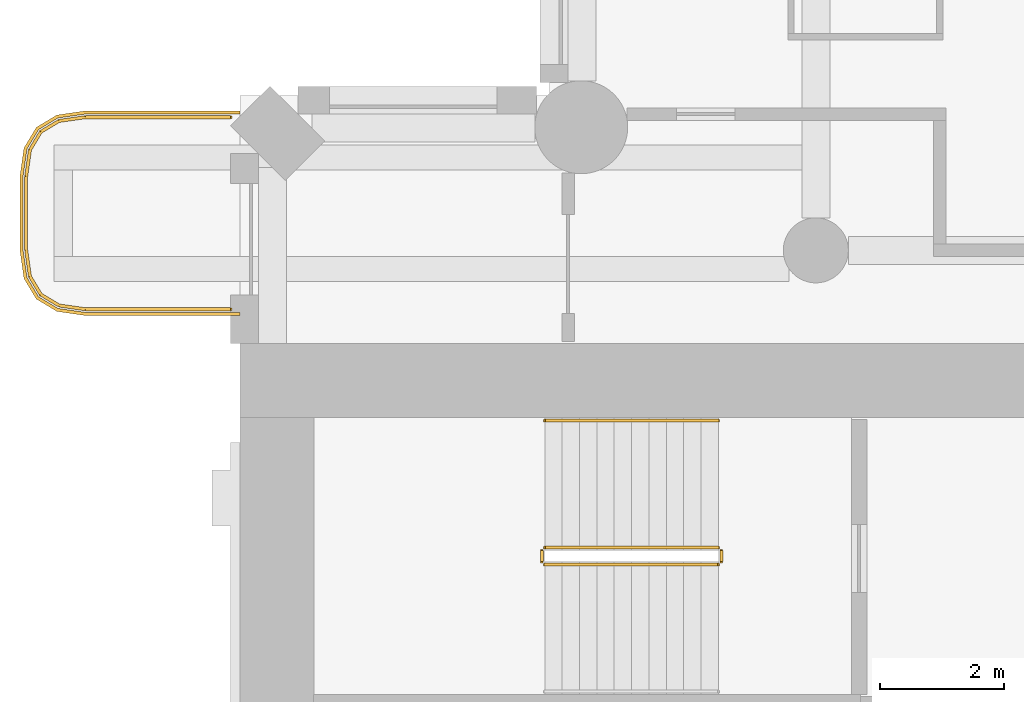
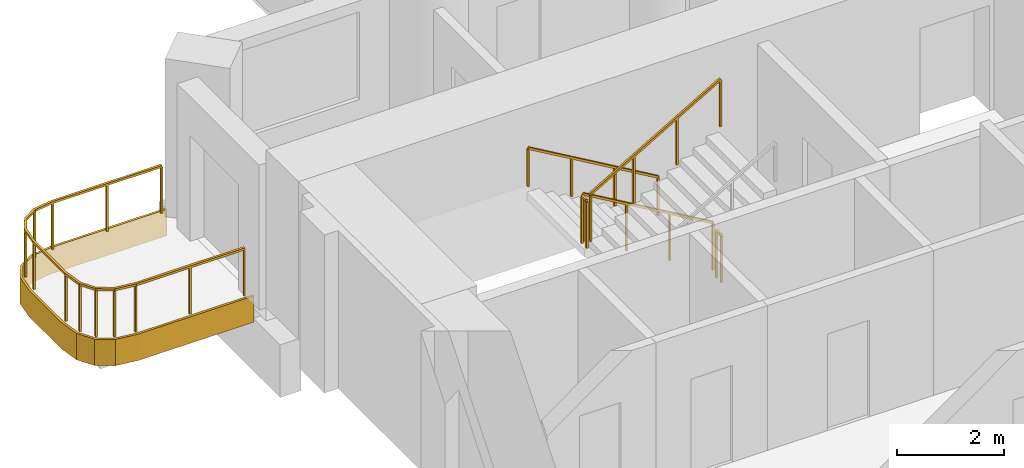
# One storey, part 17 of 20: 6 railings, 1 covering.
"""IFC4 building model written with IfcOpenShell, lengths in metres."""

from ifc_helpers import new_model, si_unit, direction, frame, origin, origin_2d, place, context, subcontext, project, spatial, polyline, rectangle, outline, extrude, material, layer, layer_set, type_object, element, save


model = new_model("IFC4")

# Units and contexts
model_context = context("Model", 3, precision=1e-05, world=origin(), true_north=direction((0.0, 1.0)))
body_context = subcontext(model_context, "Body", "Model", "MODEL_VIEW")
ifc_project = project(units=[si_unit("LENGTHUNIT", "METRE"), si_unit("AREAUNIT", "SQUARE_METRE"), si_unit("VOLUMEUNIT", "CUBIC_METRE"), si_unit("PLANEANGLEUNIT", "RADIAN"), si_unit("MASSUNIT", "GRAM", prefix="KILO")], contexts=[model_context])

# Site, building, storey
site_placement = place(None, origin())
site = spatial("IfcSite", under=ifc_project, at=site_placement, CompositionType="ELEMENT")
building_placement = place(site_placement, origin())
building = spatial("IfcBuilding", under=site, at=building_placement, Name="Cypress Arch Tower", CompositionType="ELEMENT")
storey_placement = place(building_placement, frame((0.0, 0.0, 109.5)))
storey = spatial("IfcBuildingStorey", under=building, at=storey_placement, Name="L22", CompositionType="ELEMENT", Elevation=109.5)

# Covering
ifc_material_1 = material(Name="White powder-coated aluminium fascia", Category="aluminium")
ifc_layer = layer(ifc_material_1, 0.050048828125)
ifc_layer_set = layer_set([ifc_layer], Name="Balcony fascia BF50")
covering_type = type_object("IfcCoveringType", Name="Balcony fascia BF50", PredefinedType="CLADDING", material=ifc_layer_set)
covering_placement = place(storey_placement, frame((0.0, 0.0, -0.60009765625)))
element("IfcCovering", 1, at=covering_placement, inside=storey, type_object=covering_type, Name="Balcony fascia L22-A00W0", PredefinedType="CLADDING", context=body_context, shape_type="SweptSolid", body=[
    extrude(outline(polyline([(-32.503662109375, 16.449951171875), (-32.95458984375, 16.514404296875), (-33.286376953125, 16.713623046875), (-33.485595703125, 17.04541015625), (-33.550048828125, 17.496337890625), (-33.550048828125, 18.70361328125), (-33.485595703125, 19.154541015625), (-33.286376953125, 19.486328125), (-32.95458984375, 19.685546875), (-32.503662109375, 19.75), (-30.0009765625, 19.75), (-30.0009765625, 19.699951171875), (-32.5, 19.699951171875), (-32.9375, 19.637451171875), (-33.25, 19.449951171875), (-33.4375, 19.137451171875), (-33.5, 18.699951171875), (-33.5, 17.5), (-33.4375, 17.0625), (-33.25, 16.75), (-32.9375, 16.5625), (-32.5, 16.5), (-30.0009765625, 16.5), (-30.0009765625, 16.449951171875), (-32.503662109375, 16.449951171875)])), origin(), (0.0, 0.0, 1.0), 0.60009765625),
])

# Railings
ifc_material_2 = material(Name="Powder-coated steel posts and rods, 100 mm clear between rods", Category="steel")
railing_type_1 = type_object("IfcRailingType", Name="Balcony guard GR1100", PredefinedType="GUARDRAIL", material=ifc_material_2)
railing_1_placement = place(storey_placement, frame((-30.14990234375, 16.550048828125, 0.0)))
element("IfcRailing", 2, at=railing_1_placement, inside=storey, type_object=railing_type_1, Name="Balcony guard L22-A00W0", PredefinedType="GUARDRAIL", context=body_context, shape_type="SweptSolid", body=[
    extrude(rectangle(XDim=0.050048828125, YDim=0.050048828125, at=origin_2d()), frame((0.0, 0.0, 1.0751953125), z_axis=(-1.0, 0.0, 0.0), x_axis=(0.0, -1.0, 0.0)), (0.0, 0.0, 1.0), 2.346435546875),
    extrude(rectangle(XDim=0.050048828125, YDim=0.050048828125, at=origin_2d()), frame((-2.346435546875, 0.0, 1.0751953125), z_axis=(-0.989960888959, 0.141341566184, 0.0), x_axis=(-0.141341566184, -0.989960888959, 0.0)), (0.0, 0.0, 1.0), 0.428466796875),
    extrude(rectangle(XDim=0.050048828125, YDim=0.050048828125, at=origin_2d()), frame((-2.7705078125, 0.060546875, 1.0751953125), z_axis=(-0.857681904839, 0.514180659021, 0.0), x_axis=(-0.514180659021, -0.857681904839, 0.0)), (0.0, 0.0, 1.0), 0.341796875),
    extrude(rectangle(XDim=0.050048828125, YDim=0.050048828125, at=origin_2d()), frame((-3.063720703125, 0.236328125, 1.0751953125), z_axis=(-0.514180659021, 0.857681904839, 0.0), x_axis=(-0.857681904839, -0.514180659021, 0.0)), (0.0, 0.0, 1.0), 0.341796875),
    extrude(rectangle(XDim=0.050048828125, YDim=0.050048828125, at=origin_2d()), frame((-3.239501953125, 0.529541015625, 1.0751953125), z_axis=(-0.141341566184, 0.989960888959, 0.0), x_axis=(-0.989960888959, -0.141341566184, 0.0)), (0.0, 0.0, 1.0), 0.428466796875),
    extrude(rectangle(XDim=0.050048828125, YDim=0.050048828125, at=origin_2d()), frame((-3.300048828125, 0.95361328125, 1.0751953125), z_axis=(0.0, 1.0, 0.0), x_axis=(-1.0, 0.0, 0.0)), (0.0, 0.0, 1.0), 1.19287109375),
    extrude(rectangle(XDim=0.050048828125, YDim=0.050048828125, at=origin_2d()), frame((-3.300048828125, 2.146484375, 1.0751953125), z_axis=(0.141421356237, 0.989949493661, 0.0), x_axis=(-0.989949493661, 0.141421356237, 0.0)), (0.0, 0.0, 1.0), 0.42822265625),
    extrude(rectangle(XDim=0.050048828125, YDim=0.050048828125, at=origin_2d()), frame((-3.239501953125, 2.5703125, 1.0751953125), z_axis=(0.514180659021, 0.857681904839, 0.0), x_axis=(-0.857681904839, 0.514180659021, 0.0)), (0.0, 0.0, 1.0), 0.341796875),
    extrude(rectangle(XDim=0.050048828125, YDim=0.050048828125, at=origin_2d()), frame((-3.063720703125, 2.863525390625, 1.0751953125), z_axis=(0.857681904839, 0.514180659021, 0.0), x_axis=(-0.514180659021, 0.857681904839, 0.0)), (0.0, 0.0, 1.0), 0.341796875),
    extrude(rectangle(XDim=0.050048828125, YDim=0.050048828125, at=origin_2d()), frame((-2.7705078125, 3.039306640625, 1.0751953125), z_axis=(0.989960888959, 0.141341566184, 0.0), x_axis=(-0.141341566184, 0.989960888959, 0.0)), (0.0, 0.0, 1.0), 0.428466796875),
    extrude(rectangle(XDim=0.050048828125, YDim=0.050048828125, at=origin_2d()), frame((-2.346435546875, 3.099853515625, 1.0751953125), z_axis=(1.0, 0.0, 0.0), x_axis=(0.0, 1.0, 0.0)), (0.0, 0.0, 1.0), 2.346435546875),
    extrude(rectangle(XDim=0.0400390625, YDim=0.0400390625, at=origin_2d()), origin(), (0.0, 0.0, 1.0), 1.050048828125),
    extrude(rectangle(XDim=0.0400390625, YDim=0.0400390625, at=origin_2d()), frame((-1.17333984375, 0.0, 0.0)), (0.0, 0.0, 1.0), 1.050048828125),
    extrude(rectangle(XDim=0.0400390625, YDim=0.0400390625, at=origin_2d()), frame((-2.346435546875, 0.0, 0.0)), (0.0, 0.0, 1.0), 1.050048828125),
    extrude(rectangle(XDim=0.0400390625, YDim=0.0400390625, at=origin_2d()), frame((-2.7705078125, 0.060546875, 0.0)), (0.0, 0.0, 1.0), 1.050048828125),
    extrude(rectangle(XDim=0.0400390625, YDim=0.0400390625, at=origin_2d()), frame((-3.063720703125, 0.236328125, 0.0)), (0.0, 0.0, 1.0), 1.050048828125),
    extrude(rectangle(XDim=0.0400390625, YDim=0.0400390625, at=origin_2d()), frame((-3.239501953125, 0.529541015625, 0.0)), (0.0, 0.0, 1.0), 1.050048828125),
    extrude(rectangle(XDim=0.0400390625, YDim=0.0400390625, at=origin_2d()), frame((-3.300048828125, 0.95361328125, 0.0)), (0.0, 0.0, 1.0), 1.050048828125),
    extrude(rectangle(XDim=0.0400390625, YDim=0.0400390625, at=origin_2d()), frame((-3.300048828125, 2.146484375, 0.0)), (0.0, 0.0, 1.0), 1.050048828125),
    extrude(rectangle(XDim=0.0400390625, YDim=0.0400390625, at=origin_2d()), frame((-3.239501953125, 2.5703125, 0.0)), (0.0, 0.0, 1.0), 1.050048828125),
    extrude(rectangle(XDim=0.0400390625, YDim=0.0400390625, at=origin_2d()), frame((-3.063720703125, 2.863525390625, 0.0)), (0.0, 0.0, 1.0), 1.050048828125),
    extrude(rectangle(XDim=0.0400390625, YDim=0.0400390625, at=origin_2d()), frame((-2.7705078125, 3.039306640625, 0.0)), (0.0, 0.0, 1.0), 1.050048828125),
    extrude(rectangle(XDim=0.0400390625, YDim=0.0400390625, at=origin_2d()), frame((-2.346435546875, 3.099853515625, 0.0)), (0.0, 0.0, 1.0), 1.050048828125),
    extrude(rectangle(XDim=0.0400390625, YDim=0.0400390625, at=origin_2d()), frame((-1.17333984375, 3.099853515625, 0.0)), (0.0, 0.0, 1.0), 1.050048828125),
    extrude(rectangle(XDim=0.0400390625, YDim=0.0400390625, at=origin_2d()), frame((0.0, 3.099853515625, 0.0)), (0.0, 0.0, 1.0), 1.050048828125),
])
ifc_material_3 = material(Name="Black powder-coated steel square bar 48 mm", Category="steel")
railing_type_2 = type_object("IfcRailingType", Name="Stair handrail HR1", PredefinedType="HANDRAIL", material=ifc_material_3)
railing_2_placement = place(storey_placement, frame((-22.27490234375, 14.75, 0.16357421875)))
element("IfcRailing", 3, at=railing_2_placement, inside=storey, type_object=railing_type_2, Name="L22 B stair handrail 1", PredefinedType="HANDRAIL", context=body_context, shape_type="SweptSolid", body=[
    extrude(rectangle(XDim=0.048095703125, YDim=0.048095703125, at=origin_2d()), frame((0.0, 0.0, 0.8759765625), z_axis=(-0.863360870873, 0.0, 0.504586966384), x_axis=(0.0, -1.0, 0.0)), (0.0, 0.0, 1.0), 3.2431640625),
    extrude(rectangle(XDim=0.0419921875, YDim=0.0419921875, at=origin_2d()), origin(), (0.0, 0.0, 1.0), 0.851806640625),
    extrude(rectangle(XDim=0.0419921875, YDim=0.0419921875, at=origin_2d()), frame((-0.933349609375, 0.0, 0.54541015625)), (0.0, 0.0, 1.0), 0.851806640625),
    extrude(rectangle(XDim=0.0419921875, YDim=0.0419921875, at=origin_2d()), frame((-1.86669921875, 0.0, 1.091064453125)), (0.0, 0.0, 1.0), 0.851806640625),
    extrude(rectangle(XDim=0.0419921875, YDim=0.0419921875, at=origin_2d()), frame((-2.800048828125, 0.0, 1.636474609375)), (0.0, 0.0, 1.0), 0.851806640625),
])
ifc_material_4 = material(Name="Black powder-coated steel balusters", Category="steel")
railing_type_3 = type_object("IfcRailingType", Name="Stair well guard G1", PredefinedType="GUARDRAIL", material=ifc_material_4)
railing_3_placement = place(storey_placement, frame((-22.27490234375, 12.699951171875, 0.16357421875)))
element("IfcRailing", 4, at=railing_3_placement, inside=storey, type_object=railing_type_3, Name="L22 B stair guard 1", PredefinedType="GUARDRAIL", context=body_context, shape_type="SweptSolid", body=[
    extrude(rectangle(XDim=0.048095703125, YDim=0.048095703125, at=origin_2d()), frame((0.0, 0.0, 1.076171875), z_axis=(-0.863360870873, 0.0, 0.504586966384), x_axis=(0.0, -1.0, 0.0)), (0.0, 0.0, 1.0), 3.2431640625),
    extrude(rectangle(XDim=0.0419921875, YDim=0.0419921875, at=origin_2d()), origin(), (0.0, 0.0, 1.0), 1.052001953125),
    extrude(rectangle(XDim=0.0419921875, YDim=0.0419921875, at=origin_2d()), frame((-0.933349609375, 0.0, 0.54541015625)), (0.0, 0.0, 1.0), 1.052001953125),
    extrude(rectangle(XDim=0.0419921875, YDim=0.0419921875, at=origin_2d()), frame((-1.86669921875, 0.0, 1.091064453125)), (0.0, 0.0, 1.0), 1.052001953125),
    extrude(rectangle(XDim=0.0419921875, YDim=0.0419921875, at=origin_2d()), frame((-2.800048828125, 0.0, 1.636474609375)), (0.0, 0.0, 1.0), 1.052001953125),
])
railing_4_placement = place(storey_placement, frame((-25.125, 12.64990234375, 1.800048828125)))
element("IfcRailing", 5, at=railing_4_placement, inside=storey, type_object=railing_type_3, Name="L22 B stair guard 2", PredefinedType="GUARDRAIL", context=body_context, shape_type="SweptSolid", body=[
    extrude(rectangle(XDim=0.048095703125, YDim=0.048095703125, at=origin_2d()), frame((0.0, 0.0, 1.076171875), z_axis=(0.0, -1.0, 0.0), x_axis=(1.0, 0.0, 0.0)), (0.0, 0.0, 1.0), 0.1748046875),
    extrude(rectangle(XDim=0.0419921875, YDim=0.0419921875, at=origin_2d()), origin(), (0.0, 0.0, 1.0), 1.052001953125),
    extrude(rectangle(XDim=0.0419921875, YDim=0.0419921875, at=origin_2d()), frame((0.0, -0.1748046875, 0.0)), (0.0, 0.0, 1.0), 1.052001953125),
])
railing_5_placement = place(storey_placement, frame((-25.074951171875, 12.425048828125, 1.963623046875)))
element("IfcRailing", 6, at=railing_5_placement, inside=storey, type_object=railing_type_3, Name="L22 B stair guard 3", PredefinedType="GUARDRAIL", context=body_context, shape_type="SweptSolid", body=[
    extrude(rectangle(XDim=0.048095703125, YDim=0.048095703125, at=origin_2d()), frame((0.0, 0.0, 1.076171875), z_axis=(0.863360870873, 0.0, 0.504586966384), x_axis=(0.0, 1.0, 0.0)), (0.0, 0.0, 1.0), 3.2431640625),
    extrude(rectangle(XDim=0.0419921875, YDim=0.0419921875, at=origin_2d()), origin(), (0.0, 0.0, 1.0), 1.052001953125),
    extrude(rectangle(XDim=0.0419921875, YDim=0.0419921875, at=origin_2d()), frame((0.933349609375, 0.0, 0.54541015625)), (0.0, 0.0, 1.0), 1.052001953125),
    extrude(rectangle(XDim=0.0419921875, YDim=0.0419921875, at=origin_2d()), frame((1.86669921875, 0.0, 1.091064453125)), (0.0, 0.0, 1.0), 1.052001953125),
    extrude(rectangle(XDim=0.0419921875, YDim=0.0419921875, at=origin_2d()), frame((2.800048828125, 0.0, 1.636474609375)), (0.0, 0.0, 1.0), 1.052001953125),
])
railing_6_placement = place(storey_placement, frame((-22.22509765625, 12.64990234375, 0.0)))
element("IfcRailing", 7, at=railing_6_placement, inside=storey, type_object=railing_type_3, Name="L22 B stair guard 4", PredefinedType="GUARDRAIL", context=body_context, shape_type="SweptSolid", body=[
    extrude(rectangle(XDim=0.048095703125, YDim=0.048095703125, at=origin_2d()), frame((0.0, 0.0, 1.076171875), z_axis=(0.0, -1.0, 0.0), x_axis=(1.0, 0.0, 0.0)), (0.0, 0.0, 1.0), 0.1748046875),
    extrude(rectangle(XDim=0.0419921875, YDim=0.0419921875, at=origin_2d()), origin(), (0.0, 0.0, 1.0), 1.052001953125),
    extrude(rectangle(XDim=0.0419921875, YDim=0.0419921875, at=origin_2d()), frame((0.0, -0.1748046875, 0.0)), (0.0, 0.0, 1.0), 1.052001953125),
])

save(model, "model.ifc")
